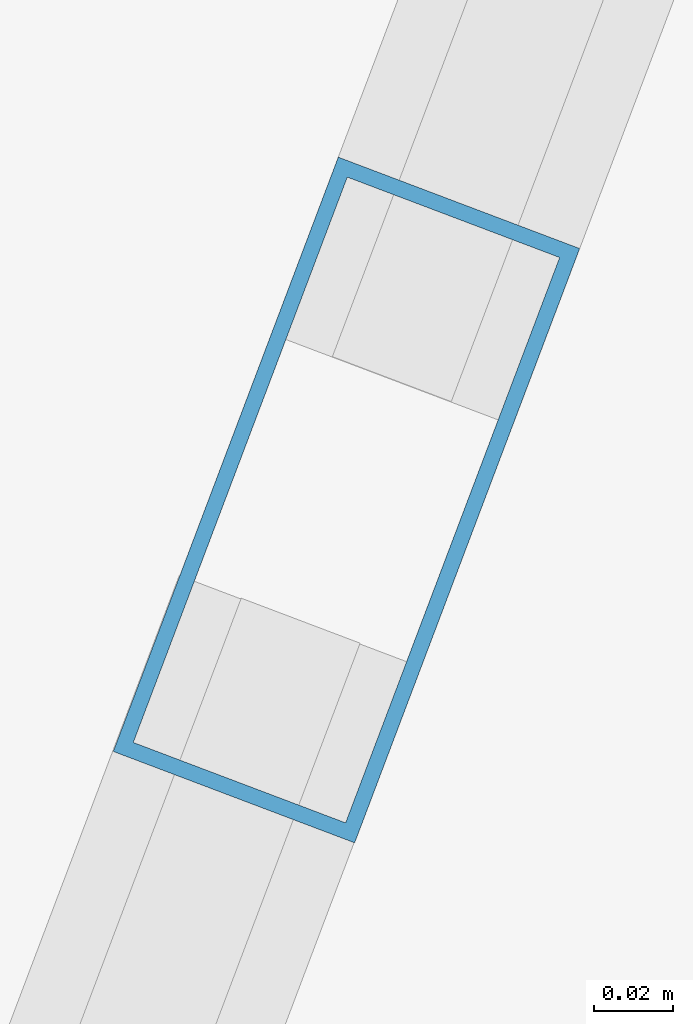
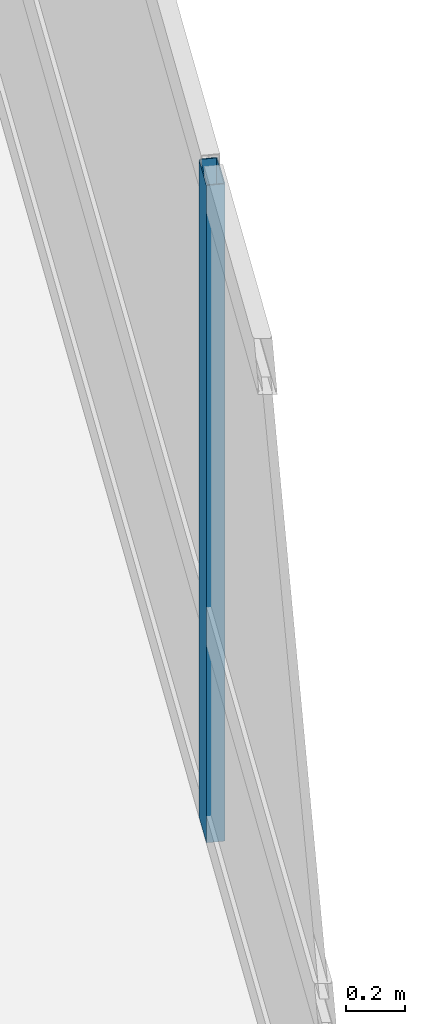
# One storey, part 14 of 26: 1 member, 1 element without a shape of its own.
"""IFC4 building model written with IfcOpenShell, lengths in metres."""

from ifc_helpers import new_model, si_unit, direction, frame, origin, origin_2d, place, context, subcontext, project, spatial, hollow_rectangle, extrude, material, layer, layer_set, material_profile, profile_set, type_object, element, aggregate, save


model = new_model("IFC4")

# Units and contexts
model_context = context("Model", 3, precision=1e-05, world=origin(), true_north=direction((0.0, 1.0)))
body_context = subcontext(model_context, "Body", "Model", "MODEL_VIEW")
ifc_project = project(units=[si_unit("LENGTHUNIT", "METRE"), si_unit("AREAUNIT", "SQUARE_METRE"), si_unit("VOLUMEUNIT", "CUBIC_METRE"), si_unit("PLANEANGLEUNIT", "RADIAN"), si_unit("MASSUNIT", "GRAM", prefix="KILO")], contexts=[model_context])

# Site, building, storey
site_placement = place(None, origin())
site = spatial("IfcSite", under=ifc_project, at=site_placement, CompositionType="ELEMENT")
building_placement = place(site_placement, origin())
building = spatial("IfcBuilding", under=site, at=building_placement, Name="Varnelok Gate Tower", CompositionType="ELEMENT")
storey_placement = place(building_placement, frame((0.0, 0.0, 109.5)))
storey = spatial("IfcBuildingStorey", under=building, at=storey_placement, Name="L27", CompositionType="ELEMENT", Elevation=109.5)

# Curtain wall, member
ifc_material = material(Name="Anodized Aluminum Alloy 6063-T6", Category="aluminium")
ifc_layer = layer(ifc_material, 0.179931640625)
ifc_layer_set = layer_set([ifc_layer], Name="Anodized Aluminum Alloy 6063-T6")
curtain_wall_type = type_object("IfcCurtainWallType", Name="CW3-HOTEL-VISION", PredefinedType="USERDEFINED", material=ifc_layer_set)
curtain_wall_placement = place(storey_placement, origin())
curtain_wall = element("IfcCurtainWall", 1, at=curtain_wall_placement, inside=storey, type_object=curtain_wall_type, Name="L27 East End Vision Curtain Wall", ObjectType="UNITISED CURTAIN WALL", PredefinedType="USERDEFINED")
ifc_material_profile = material_profile(ifc_material, hollow_rectangle(XDim=0.06494140625, YDim=0.159912109375, WallThickness=0.00390625, at=origin_2d()), Name="ALU160X65X4")
ifc_profile_set = profile_set([ifc_material_profile], Name="Anodized Aluminum Alloy 6063-T6")
member_type = type_object("IfcMemberType", Name="CW-MULL-160", PredefinedType="MULLION", material=ifc_profile_set)
member_placement = place(storey_placement, frame((77.8916015625, 22.26416015625, 0.0), z_axis=(0.0, 0.0, 1.0), x_axis=(0.935221323688, -0.354063660545, 0.0)))
member = element("IfcMember", 2, at=member_placement, type_object=member_type, Name="CW3 mullion 2", PredefinedType="MULLION", context=body_context, shape_type="SweptSolid", body=[
    extrude(hollow_rectangle(XDim=0.06494140625, YDim=0.159912109375, WallThickness=0.00390625, at=origin_2d()), origin(), (0.0, 0.0, 1.0), 2.72998046875),
])
aggregate(curtain_wall, [member])

save(model, "model.ifc")
